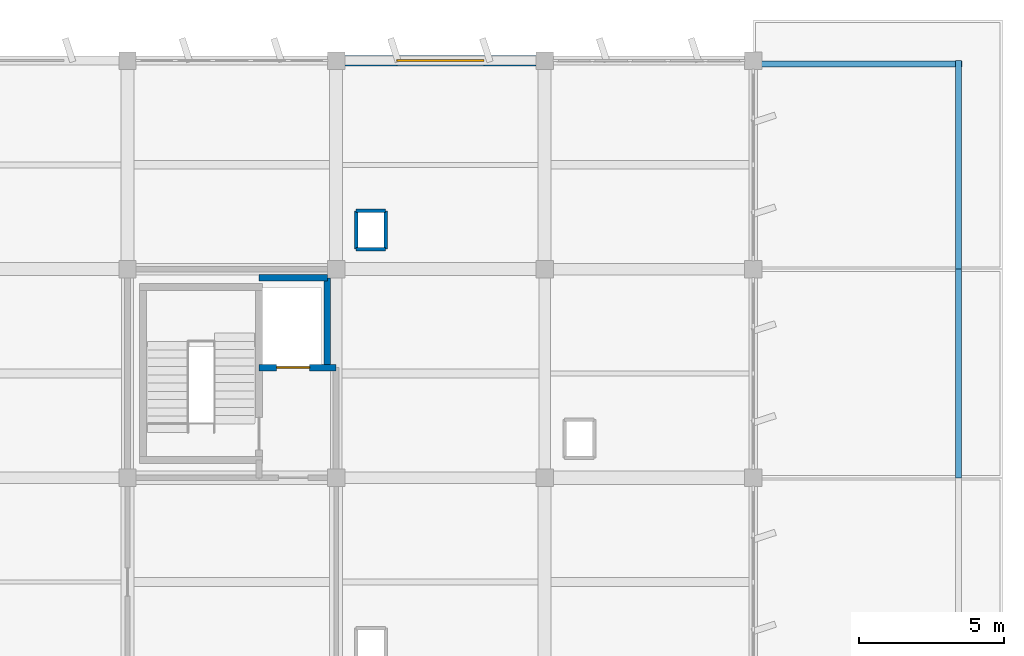
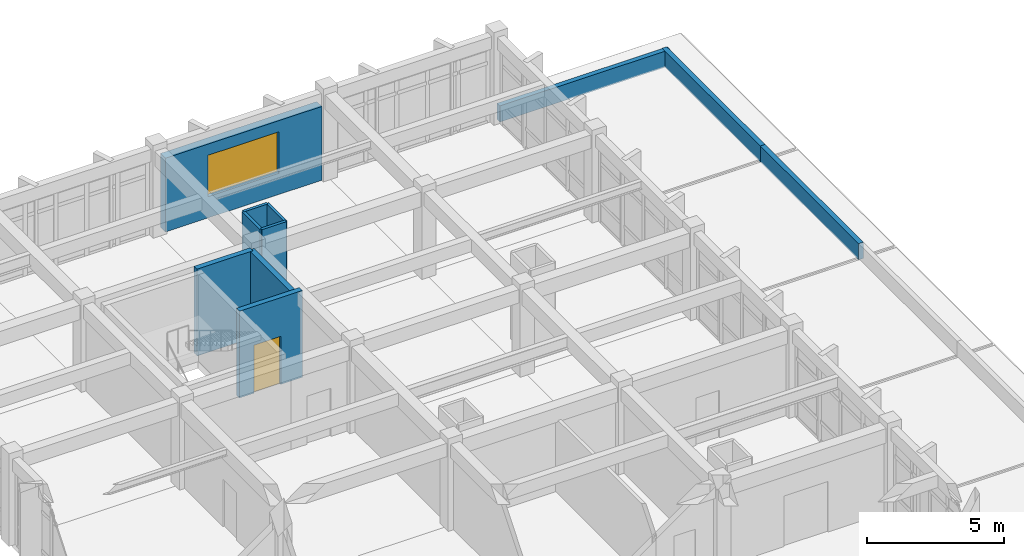
# One storey, part 57 of 62: 11 walls, 1 door, 1 window, 2 openings.
"""IFC4 building model written with IfcOpenShell, lengths in metres."""

from ifc_helpers import new_model, si_unit, direction, frame, frame_2d, origin, place, context, subcontext, project, spatial, rectangle, extrude, material, layer, layer_set, type_object, element, fill, save


model = new_model("IFC4")

# Units and contexts
model_context = context("Model", 3, precision=1e-05, world=origin(), true_north=direction((0.0, 1.0)))
body_context = subcontext(model_context, "Body", "Model", "MODEL_VIEW")
ifc_project = project(units=[si_unit("LENGTHUNIT", "METRE"), si_unit("AREAUNIT", "SQUARE_METRE"), si_unit("VOLUMEUNIT", "CUBIC_METRE"), si_unit("PLANEANGLEUNIT", "RADIAN"), si_unit("MASSUNIT", "GRAM", prefix="KILO")], contexts=[model_context])

# Site, building, storey
site_placement = place(None, origin())
site = spatial("IfcSite", under=ifc_project, at=site_placement, CompositionType="ELEMENT")
building_placement = place(site_placement, origin())
building = spatial("IfcBuilding", under=site, at=building_placement, Name="Kavelor Marine Aquarium", CompositionType="ELEMENT")
storey_placement = place(building_placement, frame((0.0, 0.0, 13.5)))
storey = spatial("IfcBuildingStorey", under=building, at=storey_placement, Name="L03", CompositionType="ELEMENT", Elevation=13.5)

# Wall, opening, window
ifc_material_1 = material(Name="Concrete C45/55", Category="concrete")
ifc_layer_1 = layer(ifc_material_1, 0.360107421875)
ifc_layer_set_1 = layer_set([ifc_layer_1], Name="WL-EX1")
wall_type_1 = type_object("IfcWallType", Name="WL-EX1", PredefinedType="STANDARD", material=ifc_layer_set_1)
wall_1_placement = place(storey_placement, frame((133.094970703125, 110.800048828125, 0.0), z_axis=(0.0, 0.0, 1.0), x_axis=(1.0, 0.0, 0.0)))
wall_1 = element("IfcWall", 1, at=wall_1_placement, inside=storey, type_object=wall_type_1, Name="ew:x:L03:18_15", PredefinedType="STANDARD", context=body_context, shape_type="SweptSolid", body=[
    extrude(rectangle(XDim=6.610107421875, YDim=0.360107421875, at=frame_2d((3.30517578125, 0.0))), origin(), (0.0, 0.0, 1.0), 3.300048828125),
])
opening_1_placement = place(wall_1_placement, frame((1.804931640625, 0.0, 0.949951171875)))
opening_1 = element("IfcOpeningElement", 2, at=opening_1_placement, cuts=wall_1, Name="Opening W20", PredefinedType="OPENING", context=body_context, shape_type="SweptSolid", body=[
    extrude(rectangle(XDim=3.0, YDim=1.85009765625, at=frame_2d((1.5, 0.925048828125))), frame((0.0, 0.18994140625, 0.0), z_axis=(0.0, -1.0, 0.0), x_axis=(1.0, 0.0, 0.0)), (0.0, 0.0, 1.0), 0.380107),
])
ifc_material_2 = material(Name="Anodised Aluminium Frame with Low-E Double Glazing", Category="aluminium")
window_type = type_object("IfcWindowType", Name="WIN-W20", PartitioningType="DOUBLE_PANEL_VERTICAL", PredefinedType="WINDOW", material=ifc_material_2)
window_placement = place(opening_1_placement, origin())
window = element("IfcWindow", 3, at=window_placement, inside=storey, type_object=window_type, Name="win:x:L03:18_15", OverallHeight=1.85009765625, OverallWidth=3.0, PartitioningType="SINGLE_PANEL", PredefinedType="WINDOW", context=body_context, shape_type="SweptSolid", body=[
    extrude(rectangle(XDim=3.0, YDim=1.85009765625, at=frame_2d((1.5, 0.925048828125))), frame((0.0, 0.030029296875, 0.0), z_axis=(0.0, -1.0, 0.0), x_axis=(1.0, 0.0, 0.0)), (0.0, 0.0, 1.0), 0.06005859375),
])
fill(opening_1, window)

# Walls
ifc_material_3 = material(Name="Concrete C40/50", Category="concrete")
ifc_layer_2 = layer(ifc_material_3, 0.199951171875)
ifc_layer_set_2 = layer_set([ifc_layer_2], Name="WL-PR3")
wall_type_2 = type_object("IfcWallType", Name="WL-PR3", PredefinedType="PARAPET", material=ifc_layer_set_2)
wall_2_placement = place(storey_placement, frame((154.280029296875, 96.39990234375, 0.0), z_axis=(0.0, 0.0, 1.0), x_axis=(0.0, 1.0, 0.0)))
element("IfcWall", 4, at=wall_2_placement, inside=storey, type_object=wall_type_2, Name="par:e:L03:20_13", PredefinedType="PARAPET", context=body_context, shape_type="SweptSolid", body=[
    extrude(rectangle(XDim=7.2001953125, YDim=0.199951171875, at=frame_2d((3.60009765625, 0.0))), origin(), (0.0, 0.0, 1.0), 0.719970703125),
])
for number, where, z_axis, x_axis, name in (
    (5, (147.199951171875, 110.679931640625, 0.0), (0.0, 0.0, 1.0), (1.0, 0.0, 0.0), "par:n:L03:20_14"),
    (6, (154.280029296875, 103.60009765625, 0.0), (0.0, 0.0, 1.0), (0.0, 1.0, 0.0), "par:e:L03:20_14"),
):
    element("IfcWall", number, at=place(storey_placement, frame(where, z_axis=z_axis, x_axis=x_axis)), inside=storey, type_object=wall_type_2, Name=name, PredefinedType="PARAPET", context=body_context, shape_type="SweptSolid", body=[
        extrude(rectangle(XDim=7.199951171875, YDim=0.199951171875, at=frame_2d((3.60009765625, 0.0))), origin(), (0.0, 0.0, 1.0), 0.719970703125),
    ])
ifc_material_4 = material(Name="Lightweight Drywall Partition")
ifc_layer_3 = layer(ifc_material_4, 0.1201171875)
ifc_layer_set_3 = layer_set([ifc_layer_3], Name="WL-PT4")
wall_type_3 = type_object("IfcWallType", Name="WL-PT4", PredefinedType="PARTITIONING", material=ifc_layer_set_3)
for number, where, z_axis, x_axis, name in (
    (7, (133.489990234375, 104.2900390625, 0.0), (0.0, 0.0, 1.0), (1.0, 0.0, 0.0), "riser:s:L03:18_14"),
    (8, (133.489990234375, 105.610107421875, 0.0), (0.0, 0.0, 1.0), (1.0, 0.0, 0.0), "riser:n:L03:18_14"),
):
    element("IfcWall", number, at=place(storey_placement, frame(where, z_axis=z_axis, x_axis=x_axis)), inside=storey, type_object=wall_type_3, Name=name, PredefinedType="PARTITIONING", context=body_context, shape_type="SweptSolid", body=[
        extrude(rectangle(XDim=1.02001953125, YDim=0.1201171875, at=frame_2d((0.510009765625, 0.0))), origin(), (0.0, 0.0, 1.0), 3.840087890625),
    ])
for number, where, z_axis, x_axis, name in (
    (9, (133.489990234375, 104.2900390625, 0.0), (0.0, 0.0, 1.0), (0.0, 1.0, 0.0), "riser:w:L03:18_14"),
    (10, (134.510009765625, 104.2900390625, 0.0), (0.0, 0.0, 1.0), (0.0, 1.0, 0.0), "riser:e:L03:18_14"),
):
    element("IfcWall", number, at=place(storey_placement, frame(where, z_axis=z_axis, x_axis=x_axis)), inside=storey, type_object=wall_type_3, Name=name, PredefinedType="PARTITIONING", context=body_context, shape_type="SweptSolid", body=[
        extrude(rectangle(XDim=1.320068359375, YDim=0.1201171875, at=frame_2d((0.66015625, 0.0))), origin(), (0.0, 0.0, 1.0), 3.840087890625),
    ])

# Wall, opening, door
ifc_material_5 = material(Name="Concrete C40/50", Category="concrete")
ifc_layer_4 = layer(ifc_material_5, 0.35009765625)
ifc_layer_set_4 = layer_set([ifc_layer_4], Name="WL-SW2")
wall_type_4 = type_object("IfcWallType", Name="WL-SW2", PredefinedType="SHEAR", material=ifc_layer_set_4)
wall_3_placement = place(storey_placement, frame((130.139892578125, 100.199951171875, 0.0), z_axis=(0.0, 0.0, 1.0), x_axis=(1.0, 0.0, 0.0)))
wall_3 = element("IfcWall", 11, at=wall_3_placement, inside=storey, type_object=wall_type_4, Name="cw_lf:s:C10:L03", PredefinedType="SHEAR", context=body_context, shape_type="SweptSolid", body=[
    extrude(rectangle(XDim=2.66015625, YDim=0.219970703125, at=frame_2d((1.330078125, 0.0))), origin(), (0.0, 0.0, 1.0), 3.8798828125),
])
opening_2_placement = place(wall_3_placement, frame((0.610107421875, 0.0, 0.0)))
opening_2 = element("IfcOpeningElement", 12, at=opening_2_placement, cuts=wall_3, Name="Opening LD1", PredefinedType="OPENING", context=body_context, shape_type="SweptSolid", body=[
    extrude(rectangle(XDim=1.139892578125, YDim=2.14990234375, at=frame_2d((0.56982421875, 1.074951171875))), frame((0.0, 0.119873046875, 0.0), z_axis=(0.0, -1.0, 0.0), x_axis=(1.0, 0.0, 0.0)), (0.0, 0.0, 1.0), 0.239971),
])
ifc_material_6 = material(Name="Stainless Steel Lift Landing Sliding Door", Category="steel")
door_type = type_object("IfcDoorType", Name="DR-LD1", OperationType="NOTDEFINED", PredefinedType="DOOR", material=ifc_material_6)
door_placement = place(opening_2_placement, origin())
door = element("IfcDoor", 13, at=door_placement, inside=storey, type_object=door_type, Name="Lift Landing Sliding Door EL3-L03", OperationType="SLIDING_TO_LEFT", OverallHeight=2.14990234375, OverallWidth=1.139892578125, PredefinedType="DOOR", context=body_context, shape_type="SweptSolid", body=[
    extrude(rectangle(XDim=1.139892578125, YDim=2.14990234375, at=frame_2d((0.56982421875, 1.074951171875))), frame((0.0, 0.02490234375, 0.0), z_axis=(0.0, -1.0, 0.0), x_axis=(1.0, 0.0, 0.0)), (0.0, 0.0, 1.0), 0.050048828125),
])
fill(opening_2, door)

# Walls
wall_4_placement = place(storey_placement, frame((130.139892578125, 103.300048828125, 0.0), z_axis=(0.0, 0.0, 1.0), x_axis=(1.0, 0.0, 0.0)))
element("IfcWall", 14, at=wall_4_placement, inside=storey, type_object=wall_type_4, Name="cw_lf:n:C10:L03", PredefinedType="SHEAR", context=body_context, shape_type="SweptSolid", body=[
    extrude(rectangle(XDim=2.360107421875, YDim=0.219970703125, at=frame_2d((1.18017578125, 0.0))), origin(), (0.0, 0.0, 1.0), 3.8798828125),
])
wall_5_placement = place(storey_placement, frame((132.5, 100.199951171875, 0.0), z_axis=(0.0, 0.0, 1.0), x_axis=(0.0, 1.0, 0.0)))
element("IfcWall", 15, at=wall_5_placement, inside=storey, type_object=wall_type_4, Name="cw_lf:e:C10:L03", PredefinedType="SHEAR", context=body_context, shape_type="SweptSolid", body=[
    extrude(rectangle(XDim=3.10009765625, YDim=0.219970703125, at=frame_2d((1.550048828125, 0.0))), origin(), (0.0, 0.0, 1.0), 3.8798828125),
])

save(model, "model.ifc")
